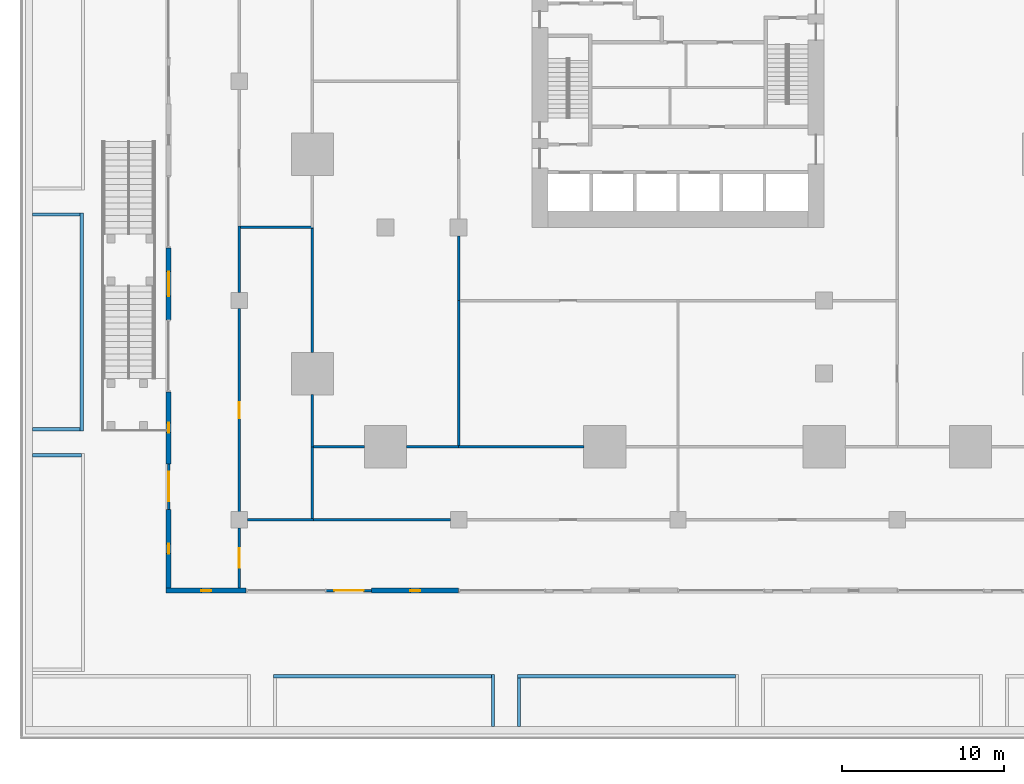
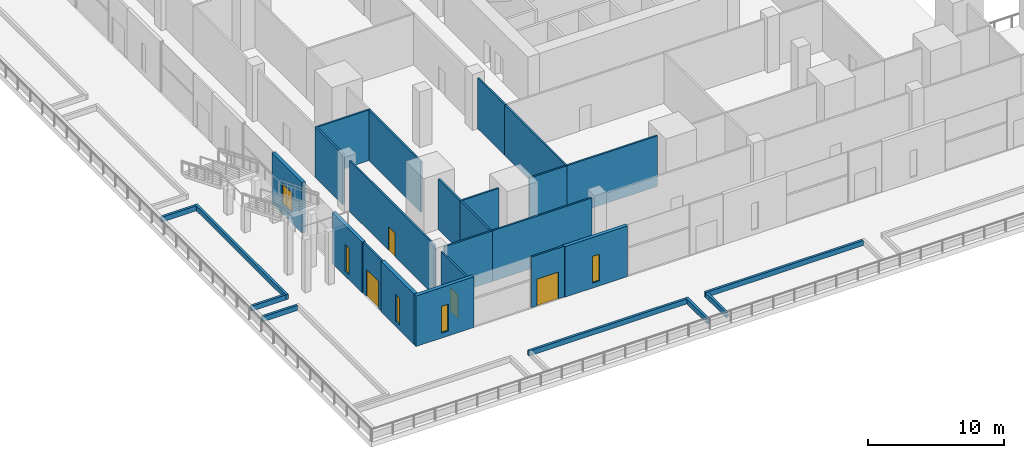
# One storey, part 27 of 49: 29 walls, 5 windows, 4 doors, 9 openings.
"""IFC4 building model written with IfcOpenShell, lengths in metres."""

from ifc_helpers import new_model, si_unit, direction, frame, frame_2d, origin, place, context, subcontext, project, spatial, rectangle, extrude, material, layer, layer_set, type_object, element, fill, save


model = new_model("IFC4")

# Units and contexts
model_context = context("Model", 3, precision=1e-05, world=origin(), true_north=direction((0.0, 1.0)))
body_context = subcontext(model_context, "Body", "Model", "MODEL_VIEW")
ifc_project = project(units=[si_unit("LENGTHUNIT", "METRE"), si_unit("AREAUNIT", "SQUARE_METRE"), si_unit("VOLUMEUNIT", "CUBIC_METRE"), si_unit("PLANEANGLEUNIT", "RADIAN"), si_unit("MASSUNIT", "GRAM", prefix="KILO")], contexts=[model_context])

# Site, building, storey
site_placement = place(None, origin())
site = spatial("IfcSite", under=ifc_project, at=site_placement, CompositionType="ELEMENT")
building_placement = place(site_placement, origin())
building = spatial("IfcBuilding", under=site, at=building_placement, Name="Altepetl Exchange Towers", CompositionType="ELEMENT")
storey_placement = place(building_placement, frame((0.0, 0.0, 11.5)))
storey = spatial("IfcBuildingStorey", under=building, at=storey_placement, Name="L02 Exchange podium", CompositionType="ELEMENT", Elevation=11.5)

# Wall, opening, door
ifc_material_1 = material(Name="Aluminium composite cladding", Category="aluminium")
ifc_layer_1 = layer(ifc_material_1, 0.14990234375)
ifc_layer_set_1 = layer_set([ifc_layer_1], Name="Aluminium composite cladding")
wall_type_1 = type_object("IfcWallType", Name="Infill wall 150 aluminium panel", PredefinedType="SOLIDWALL", material=ifc_layer_set_1)
wall_1_placement = place(storey_placement, frame((27.85009765625, 18.14990234375, 0.0)))
wall_1 = element("IfcWall", 1, at=wall_1_placement, inside=storey, type_object=wall_type_1, Name="Door bay wall", PredefinedType="SOLIDWALL", context=body_context, shape_type="SweptSolid", body=[
    extrude(rectangle(XDim=2.7998046875, YDim=0.14990234375, at=frame_2d((1.39990234375, 0.0))), origin(), (0.0, 0.0, 1.0), 4.550048828125),
])
opening_1_placement = place(wall_1_placement, frame((0.5, 0.0, 0.0)))
opening_1 = element("IfcOpeningElement", 2, at=opening_1_placement, cuts=wall_1, Name="Opening L02.E11", PredefinedType="OPENING", context=body_context, shape_type="SweptSolid", body=[
    extrude(rectangle(XDim=1.800048828125, YDim=2.39990234375, at=frame_2d((0.89990234375, 1.199951171875))), frame((0.0, 0.0849609375, 0.0), z_axis=(0.0, -1.0, 0.0), x_axis=(1.0, 0.0, 0.0)), (0.0, 0.0, 1.0), 0.169921875),
])
ifc_material_2 = material(Name="Aluminium 6063-T6 and glass", Category="aluminium")
door_type_1 = type_object("IfcDoorType", Name="Glazed door pair 1800x2400", OperationType="DOUBLE_DOOR_DOUBLE_SWING", PredefinedType="NOTDEFINED", material=ifc_material_2)
door_1_placement = place(opening_1_placement, frame((1.800048828125, 0.0, 0.0), x_axis=(-1.0, 0.0, 0.0)))
door_1 = element("IfcDoor", 3, at=door_1_placement, inside=storey, type_object=door_type_1, Name="Terrace door", OperationType="DOUBLE_DOOR_DOUBLE_SWING", OverallHeight=2.39990234375, OverallWidth=1.800048828125, PredefinedType="NOTDEFINED", context=body_context, shape_type="SweptSolid", body=[
    extrude(rectangle(XDim=1.800048828125, YDim=2.39990234375, at=frame_2d((0.89990234375, 1.199951171875))), frame((0.0, 0.02490234375, 0.0), z_axis=(0.0, -1.0, 0.0), x_axis=(1.0, 0.0, 0.0)), (0.0, 0.0, 1.0), 0.050048828125),
])
fill(opening_1, door_1)

wall_2_placement = place(storey_placement, frame((18.14990234375, 25.949951171875, 0.0), z_axis=(0.0, 0.0, 1.0), x_axis=(0.0, -1.0, 0.0)))
wall_2 = element("IfcWall", 4, at=wall_2_placement, inside=storey, type_object=wall_type_1, Name="Door bay wall", PredefinedType="SOLIDWALL", context=body_context, shape_type="SweptSolid", body=[
    extrude(rectangle(XDim=2.800048828125, YDim=0.14990234375, at=frame_2d((1.39990234375, 0.0))), origin(), (0.0, 0.0, 1.0), 4.550048828125),
])
opening_2_placement = place(wall_2_placement, frame((0.5, 0.0, 0.0)))
opening_2 = element("IfcOpeningElement", 5, at=opening_2_placement, cuts=wall_2, Name="Opening L02.E01", PredefinedType="OPENING", context=body_context, shape_type="SweptSolid", body=[
    extrude(rectangle(XDim=1.800048828125, YDim=2.39990234375, at=frame_2d((0.89990234375, 1.199951171875))), frame((0.0, 0.0849609375, 0.0), z_axis=(0.0, -1.0, 0.0), x_axis=(1.0, 0.0, 0.0)), (0.0, 0.0, 1.0), 0.169921875),
])
door_2_placement = place(opening_2_placement, frame((1.800048828125, 0.0, 0.0), x_axis=(-1.0, 0.0, 0.0)))
door_2 = element("IfcDoor", 6, at=door_2_placement, inside=storey, type_object=door_type_1, Name="Terrace door", OperationType="DOUBLE_DOOR_DOUBLE_SWING", OverallHeight=2.39990234375, OverallWidth=1.800048828125, PredefinedType="NOTDEFINED", context=body_context, shape_type="SweptSolid", body=[
    extrude(rectangle(XDim=1.800048828125, YDim=2.39990234375, at=frame_2d((0.89990234375, 1.199951171875))), frame((0.0, 0.02490234375, 0.0), z_axis=(0.0, -1.0, 0.0), x_axis=(1.0, 0.0, 0.0)), (0.0, 0.0, 1.0), 0.050048828125),
])
fill(opening_2, door_2)

# Walls
ifc_material_3 = material(Name="Reinforced concrete C35/45", Category="concrete")
ifc_layer_2 = layer(ifc_material_3, 0.199951171875)
ifc_layer_set_2 = layer_set([ifc_layer_2], Name="Reinforced concrete C35/45")
wall_type_2 = type_object("IfcWallType", Name="Planting bed curb 200", PredefinedType="SOLIDWALL", material=ifc_layer_set_2)
wall_3_placement = place(storey_placement, frame((38.11669921875, 9.77490234375, 0.0), z_axis=(0.0, 0.0, 1.0), x_axis=(0.0, 1.0, 0.0)))
element("IfcWall", 7, at=wall_3_placement, inside=storey, type_object=wall_type_2, Name="wall:P:L02:CB05e", PredefinedType="SOLIDWALL", context=body_context, shape_type="SweptSolid", body=[
    extrude(rectangle(XDim=3.2001953125, YDim=0.199951171875, at=frame_2d((1.60009765625, 0.0))), origin(), (0.0, 0.0, 1.0), 0.449951171875),
])
for number, where, name in (
    (8, (24.595703125, 12.875, 0.0), "wall:P:L02:CB05n"),
    (9, (39.61669921875, 12.875, 0.0), "wall:P:L02:CB06n"),
):
    element("IfcWall", number, at=place(storey_placement, frame(where)), inside=storey, type_object=wall_type_2, Name=name, PredefinedType="SOLIDWALL", context=body_context, shape_type="SweptSolid", body=[
        extrude(rectangle(XDim=13.4208984375, YDim=0.199951171875, at=frame_2d((6.71044921875, 0.0))), origin(), (0.0, 0.0, 1.0), 0.449951171875),
    ])
wall_4_placement = place(storey_placement, frame((39.716796875, 9.77490234375, 0.0), z_axis=(0.0, 0.0, 1.0), x_axis=(0.0, 1.0, 0.0)))
element("IfcWall", 10, at=wall_4_placement, inside=storey, type_object=wall_type_2, Name="wall:P:L02:CB06w", PredefinedType="SOLIDWALL", context=body_context, shape_type="SweptSolid", body=[
    extrude(rectangle(XDim=3.0, YDim=0.199951171875, at=frame_2d((1.5, 0.0))), origin(), (0.0, 0.0, 1.0), 0.449951171875),
])
wall_5_placement = place(storey_placement, frame((9.77490234375, 26.485107421875, 0.0)))
element("IfcWall", 11, at=wall_5_placement, inside=storey, type_object=wall_type_2, Name="wall:P:L02:CB19n", PredefinedType="SOLIDWALL", context=body_context, shape_type="SweptSolid", body=[
    extrude(rectangle(XDim=3.0, YDim=0.199951171875, at=frame_2d((1.5, 0.0))), origin(), (0.0, 0.0, 1.0), 0.449951171875),
])
wall_6_placement = place(storey_placement, frame((12.800048828125, 27.985107421875, 0.0), z_axis=(0.0, 0.0, 1.0), x_axis=(0.0, 1.0, 0.0)))
element("IfcWall", 12, at=wall_6_placement, inside=storey, type_object=wall_type_2, Name="wall:P:L02:CB20e", PredefinedType="SOLIDWALL", context=body_context, shape_type="SweptSolid", body=[
    extrude(rectangle(XDim=13.409912109375, YDim=0.199951171875, at=frame_2d((6.705078125, 0.0))), origin(), (0.0, 0.0, 1.0), 0.449951171875),
])
for number, where, name in (
    (13, (9.77490234375, 41.294921875, 0.0), "wall:P:L02:CB20n"),
    (14, (9.77490234375, 28.0849609375, 0.0), "wall:P:L02:CB20s"),
):
    element("IfcWall", number, at=place(storey_placement, frame(where)), inside=storey, type_object=wall_type_2, Name=name, PredefinedType="SOLIDWALL", context=body_context, shape_type="SweptSolid", body=[
        extrude(rectangle(XDim=2.925048828125, YDim=0.199951171875, at=frame_2d((1.46240234375, 0.0))), origin(), (0.0, 0.0, 1.0), 0.449951171875),
    ])

# Wall, opening, door
ifc_material_4 = material(Name="Gypsum board on steel studs", Category="steel")
ifc_layer_3 = layer(ifc_material_4, 0.14990234375)
ifc_layer_set_3 = layer_set([ifc_layer_3], Name="Gypsum board on steel studs")
wall_type_3 = type_object("IfcWallType", Name="Podium partition 150", PredefinedType="PARTITIONING", material=ifc_layer_set_3)
wall_7_placement = place(storey_placement, frame((22.5, 18.300048828125, 0.0), z_axis=(0.0, 0.0, 1.0), x_axis=(0.0, 1.0, 0.0)))
wall_7 = element("IfcWall", 15, at=wall_7_placement, inside=storey, type_object=wall_type_3, Name="wall:P:L02:P001", PredefinedType="PARTITIONING", context=body_context, shape_type="SweptSolid", body=[
    extrude(rectangle(XDim=3.704833984375, YDim=0.14990234375, at=frame_2d((1.8525390625, 0.0))), origin(), (0.0, 0.0, 1.0), 4.550048828125),
])
opening_3_placement = place(wall_7_placement, frame((1.25, 0.0, 0.0)))
opening_3 = element("IfcOpeningElement", 16, at=opening_3_placement, cuts=wall_7, Name="Opening L02.P025", PredefinedType="OPENING", context=body_context, shape_type="SweptSolid", body=[
    extrude(rectangle(XDim=1.199951171875, YDim=2.10009765625, at=frame_2d((0.60009765625, 1.050048828125))), frame((0.0, 0.0849609375, 0.0), z_axis=(0.0, -1.0, 0.0), x_axis=(1.0, 0.0, 0.0)), (0.0, 0.0, 1.0), 0.169921875),
])
ifc_material_5 = material(Name="Steel fire door", Category="steel")
door_type_2 = type_object("IfcDoorType", Name="Podium fire door 1200 x 2100 double leaf", OperationType="DOUBLE_DOOR_SINGLE_SWING", PredefinedType="DOOR", material=ifc_material_5)
door_3_placement = place(opening_3_placement, origin())
door_3 = element("IfcDoor", 17, at=door_3_placement, inside=storey, type_object=door_type_2, Name="door:P:L02:025", OperationType="DOUBLE_DOOR_SINGLE_SWING", OverallHeight=2.10009765625, OverallWidth=1.199951171875, PredefinedType="DOOR", context=body_context, shape_type="SweptSolid", body=[
    extrude(rectangle(XDim=1.199951171875, YDim=2.10009765625, at=frame_2d((0.60009765625, 1.050048828125))), frame((0.0, 0.02490234375, 0.0), z_axis=(0.0, -1.0, 0.0), x_axis=(1.0, 0.0, 0.0)), (0.0, 0.0, 1.0), 0.050048828125),
])
fill(opening_3, door_3)

wall_8_placement = place(storey_placement, frame((22.5, 22.9951171875, 0.0), z_axis=(0.0, 0.0, 1.0), x_axis=(0.0, 1.0, 0.0)))
wall_8 = element("IfcWall", 18, at=wall_8_placement, inside=storey, type_object=wall_type_3, Name="wall:P:L02:P003", PredefinedType="PARTITIONING", context=body_context, shape_type="SweptSolid", body=[
    extrude(rectangle(XDim=12.509765625, YDim=0.14990234375, at=frame_2d((6.2548828125, 0.0))), origin(), (0.0, 0.0, 1.0), 4.550048828125),
])
opening_4_placement = place(wall_8_placement, frame((5.75, 0.0, 0.0)))
opening_4 = element("IfcOpeningElement", 19, at=opening_4_placement, cuts=wall_8, Name="Opening L02.P001", PredefinedType="OPENING", context=body_context, shape_type="SweptSolid", body=[
    extrude(rectangle(XDim=1.0, YDim=2.10009765625, at=frame_2d((0.5, 1.050048828125))), frame((0.0, 0.0849609375, 0.0), z_axis=(0.0, -1.0, 0.0), x_axis=(1.0, 0.0, 0.0)), (0.0, 0.0, 1.0), 0.169921875),
])
ifc_material_6 = material(Name="Steel and timber fire door", Category="steel")
door_type_3 = type_object("IfcDoorType", Name="Podium fire door 1000 x 2100 single leaf", OperationType="SINGLE_SWING_LEFT", PredefinedType="DOOR", material=ifc_material_6)
door_4_placement = place(opening_4_placement, frame((1.0, 0.0, 0.0), x_axis=(-1.0, 0.0, 0.0)))
door_4 = element("IfcDoor", 20, at=door_4_placement, inside=storey, type_object=door_type_3, Name="door:P:L02:001", OperationType="SINGLE_SWING_RIGHT", OverallHeight=2.10009765625, OverallWidth=1.0, PredefinedType="DOOR", context=body_context, shape_type="SweptSolid", body=[
    extrude(rectangle(XDim=1.0, YDim=2.10009765625, at=frame_2d((0.5, 1.050048828125))), frame((0.0, 0.02490234375, 0.0), z_axis=(0.0, -1.0, 0.0), x_axis=(1.0, 0.0, 0.0)), (0.0, 0.0, 1.0), 0.050048828125),
])
fill(opening_4, door_4)

# Walls
wall_9_placement = place(storey_placement, frame((22.5, 36.4951171875, 0.0), z_axis=(0.0, 0.0, 1.0), x_axis=(0.0, 1.0, 0.0)))
element("IfcWall", 21, at=wall_9_placement, inside=storey, type_object=wall_type_3, Name="wall:P:L02:P004", PredefinedType="PARTITIONING", context=body_context, shape_type="SweptSolid", body=[
    extrude(rectangle(XDim=4.079833984375, YDim=0.14990234375, at=frame_2d((2.0400390625, 0.0))), origin(), (0.0, 0.0, 1.0), 4.550048828125),
])
wall_10_placement = place(storey_placement, frame((22.9951171875, 22.5, 0.0)))
element("IfcWall", 22, at=wall_10_placement, inside=storey, type_object=wall_type_3, Name="wall:P:L02:P017", PredefinedType="PARTITIONING", context=body_context, shape_type="SweptSolid", body=[
    extrude(rectangle(XDim=4.079833984375, YDim=0.14990234375, at=frame_2d((2.0400390625, 0.0))), origin(), (0.0, 0.0, 1.0), 4.550048828125),
])
wall_11_placement = place(storey_placement, frame((27.0, 22.5, 0.0)))
element("IfcWall", 23, at=wall_11_placement, inside=storey, type_object=wall_type_3, Name="wall:P:L02:P018", PredefinedType="PARTITIONING", context=body_context, shape_type="SweptSolid", body=[
    extrude(rectangle(XDim=8.5048828125, YDim=0.14990234375, at=frame_2d((4.25244140625, 0.0))), origin(), (0.0, 0.0, 1.0), 4.550048828125),
])
wall_12_placement = place(storey_placement, frame((22.574951171875, 40.5, 0.0)))
element("IfcWall", 24, at=wall_12_placement, inside=storey, type_object=wall_type_3, Name="wall:P:L02:P049", PredefinedType="PARTITIONING", context=body_context, shape_type="SweptSolid", body=[
    extrude(rectangle(XDim=4.5, YDim=0.14990234375, at=frame_2d((2.25, 0.0))), origin(), (0.0, 0.0, 1.0), 4.550048828125),
])
wall_13_placement = place(storey_placement, frame((27.0, 22.574951171875, 0.0), z_axis=(0.0, 0.0, 1.0), x_axis=(0.0, 1.0, 0.0)))
element("IfcWall", 25, at=wall_13_placement, inside=storey, type_object=wall_type_3, Name="wall:P:L02:P050", PredefinedType="PARTITIONING", context=body_context, shape_type="SweptSolid", body=[
    extrude(rectangle(XDim=4.5, YDim=0.14990234375, at=frame_2d((2.25, 0.0))), origin(), (0.0, 0.0, 1.0), 4.550048828125),
])
wall_14_placement = place(storey_placement, frame((27.0, 27.0, 0.0), z_axis=(0.0, 0.0, 1.0), x_axis=(0.0, 1.0, 0.0)))
element("IfcWall", 26, at=wall_14_placement, inside=storey, type_object=wall_type_3, Name="wall:P:L02:P051", PredefinedType="PARTITIONING", context=body_context, shape_type="SweptSolid", body=[
    extrude(rectangle(XDim=3.205078125, YDim=0.14990234375, at=frame_2d((1.6025390625, 0.0))), origin(), (0.0, 0.0, 1.0), 4.550048828125),
])
wall_15_placement = place(storey_placement, frame((27.0, 32.794921875, 0.0), z_axis=(0.0, 0.0, 1.0), x_axis=(0.0, 1.0, 0.0)))
element("IfcWall", 27, at=wall_15_placement, inside=storey, type_object=wall_type_3, Name="wall:P:L02:P052", PredefinedType="PARTITIONING", context=body_context, shape_type="SweptSolid", body=[
    extrude(rectangle(XDim=7.630126953125, YDim=0.14990234375, at=frame_2d((3.81494140625, 0.0))), origin(), (0.0, 0.0, 1.0), 4.550048828125),
])
wall_16_placement = place(storey_placement, frame((35.925048828125, 27.0, 0.0)))
element("IfcWall", 28, at=wall_16_placement, inside=storey, type_object=wall_type_3, Name="wall:P:L02:P061", PredefinedType="PARTITIONING", context=body_context, shape_type="SweptSolid", body=[
    extrude(rectangle(XDim=7.780029296875, YDim=0.14990234375, at=frame_2d((3.89013671875, 0.0))), origin(), (0.0, 0.0, 1.0), 4.550048828125),
])
wall_17_placement = place(storey_placement, frame((27.074951171875, 27.0, 0.0)))
element("IfcWall", 29, at=wall_17_placement, inside=storey, type_object=wall_type_3, Name="wall:P:L02:P063", PredefinedType="PARTITIONING", context=body_context, shape_type="SweptSolid", body=[
    extrude(rectangle(XDim=3.130126953125, YDim=0.14990234375, at=frame_2d((1.56494140625, 0.0))), origin(), (0.0, 0.0, 1.0), 4.550048828125),
])
wall_18_placement = place(storey_placement, frame((32.794921875, 27.0, 0.0)))
element("IfcWall", 30, at=wall_18_placement, inside=storey, type_object=wall_type_3, Name="wall:P:L02:P064", PredefinedType="PARTITIONING", context=body_context, shape_type="SweptSolid", body=[
    extrude(rectangle(XDim=3.205078125, YDim=0.14990234375, at=frame_2d((1.6025390625, 0.0))), origin(), (0.0, 0.0, 1.0), 4.550048828125),
])
wall_19_placement = place(storey_placement, frame((36.0, 27.074951171875, 0.0), z_axis=(0.0, 0.0, 1.0), x_axis=(0.0, 1.0, 0.0)))
element("IfcWall", 31, at=wall_19_placement, inside=storey, type_object=wall_type_3, Name="wall:P:L02:P087", PredefinedType="PARTITIONING", context=body_context, shape_type="SweptSolid", body=[
    extrude(rectangle(XDim=9.0, YDim=0.14990234375, at=frame_2d((4.5, 0.0))), origin(), (0.0, 0.0, 1.0), 4.550048828125),
])
wall_20_placement = place(storey_placement, frame((36.0, 36.0, 0.0), z_axis=(0.0, 0.0, 1.0), x_axis=(0.0, 1.0, 0.0)))
element("IfcWall", 32, at=wall_20_placement, inside=storey, type_object=wall_type_3, Name="wall:P:L02:P095", PredefinedType="PARTITIONING", context=body_context, shape_type="SweptSolid", body=[
    extrude(rectangle(XDim=3.97998046875, YDim=0.14990234375, at=frame_2d((1.989990234375, 0.0))), origin(), (0.0, 0.0, 1.0), 4.550048828125),
])

# Wall, opening, window
ifc_material_7 = material(Name="Cantera limestone cladding", Category="masonry")
ifc_layer_4 = layer(ifc_material_7, 0.300048828125)
ifc_layer_set_4 = layer_set([ifc_layer_4], Name="Cantera limestone cladding")
wall_type_4 = type_object("IfcWallType", Name="Stone wall panel 300", PredefinedType="ELEMENTEDWALL", material=ifc_layer_set_4)
wall_21_placement = place(storey_placement, frame((18.0, 18.14990234375, 0.0)))
wall_21 = element("IfcWall", 33, at=wall_21_placement, inside=storey, type_object=wall_type_4, Name="Stone wall panel", PredefinedType="ELEMENTEDWALL", context=body_context, shape_type="SweptSolid", body=[
    extrude(rectangle(XDim=4.925048828125, YDim=0.300048828125, at=frame_2d((2.46240234375, 0.0))), origin(), (0.0, 0.0, 1.0), 4.550048828125),
])
opening_5_placement = place(wall_21_placement, frame((2.16259765625, 0.0, 0.449951171875)))
opening_5 = element("IfcOpeningElement", 34, at=opening_5_placement, cuts=wall_21, Name="Opening W3", PredefinedType="OPENING", context=body_context, shape_type="SweptSolid", body=[
    extrude(rectangle(XDim=0.60009765625, YDim=2.39990234375, at=frame_2d((0.300048828125, 1.199951171875))), frame((0.0, 0.16015625, 0.0), z_axis=(0.0, -1.0, 0.0), x_axis=(1.0, 0.0, 0.0)), (0.0, 0.0, 1.0), 0.320068359375),
])
window_type_1 = type_object("IfcWindowType", Name="Tall slot window 600x2400", PartitioningType="SINGLE_PANEL", PredefinedType="WINDOW", material=ifc_material_2)
window_1_placement = place(opening_5_placement, origin())
window_1 = element("IfcWindow", 35, at=window_1_placement, inside=storey, type_object=window_type_1, Name="Window", OverallHeight=2.39990234375, OverallWidth=0.60009765625, PartitioningType="SINGLE_PANEL", PredefinedType="WINDOW", context=body_context, shape_type="SweptSolid", body=[
    extrude(rectangle(XDim=0.60009765625, YDim=2.39990234375, at=frame_2d((0.300048828125, 1.199951171875))), frame((0.0, 0.030029296875, 0.0), z_axis=(0.0, -1.0, 0.0), x_axis=(1.0, 0.0, 0.0)), (0.0, 0.0, 1.0), 0.06005859375),
])
fill(opening_5, window_1)

wall_22_placement = place(storey_placement, frame((30.64990234375, 18.14990234375, 0.0)))
wall_22 = element("IfcWall", 36, at=wall_22_placement, inside=storey, type_object=wall_type_4, Name="Stone wall panel", PredefinedType="ELEMENTEDWALL", context=body_context, shape_type="SweptSolid", body=[
    extrude(rectangle(XDim=5.35009765625, YDim=0.300048828125, at=frame_2d((2.675048828125, 0.0))), origin(), (0.0, 0.0, 1.0), 4.550048828125),
])
opening_6_placement = place(wall_22_placement, frame((2.375, 0.0, 0.449951171875)))
opening_6 = element("IfcOpeningElement", 37, at=opening_6_placement, cuts=wall_22, Name="Opening W3", PredefinedType="OPENING", context=body_context, shape_type="SweptSolid", body=[
    extrude(rectangle(XDim=0.60009765625, YDim=2.39990234375, at=frame_2d((0.300048828125, 1.199951171875))), frame((0.0, 0.16015625, 0.0), z_axis=(0.0, -1.0, 0.0), x_axis=(1.0, 0.0, 0.0)), (0.0, 0.0, 1.0), 0.320068359375),
])
window_2_placement = place(opening_6_placement, origin())
window_2 = element("IfcWindow", 38, at=window_2_placement, inside=storey, type_object=window_type_1, Name="Window", OverallHeight=2.39990234375, OverallWidth=0.60009765625, PartitioningType="SINGLE_PANEL", PredefinedType="WINDOW", context=body_context, shape_type="SweptSolid", body=[
    extrude(rectangle(XDim=0.60009765625, YDim=2.39990234375, at=frame_2d((0.300048828125, 1.199951171875))), frame((0.0, 0.030029296875, 0.0), z_axis=(0.0, -1.0, 0.0), x_axis=(1.0, 0.0, 0.0)), (0.0, 0.0, 1.0), 0.06005859375),
])
fill(opening_6, window_2)

wall_23_placement = place(storey_placement, frame((18.14990234375, 39.239990234375, 0.0), z_axis=(0.0, 0.0, 1.0), x_axis=(0.0, -1.0, 0.0)))
wall_23 = element("IfcWall", 39, at=wall_23_placement, inside=storey, type_object=wall_type_4, Name="Stone wall panel", PredefinedType="ELEMENTEDWALL", context=body_context, shape_type="SweptSolid", body=[
    extrude(rectangle(XDim=4.429931640625, YDim=0.300048828125, at=frame_2d((2.21484375, 0.0))), origin(), (0.0, 0.0, 1.0), 4.550048828125),
])
opening_7_placement = place(wall_23_placement, frame((1.465087890625, 0.0, 0.89990234375)))
opening_7 = element("IfcOpeningElement", 40, at=opening_7_placement, cuts=wall_23, Name="Opening W2", PredefinedType="OPENING", context=body_context, shape_type="SweptSolid", body=[
    extrude(rectangle(XDim=1.5, YDim=1.800048828125, at=frame_2d((0.75, 0.89990234375))), frame((0.0, 0.16015625, 0.0), z_axis=(0.0, -1.0, 0.0), x_axis=(1.0, 0.0, 0.0)), (0.0, 0.0, 1.0), 0.320068359375),
])
ifc_material_8 = material(Name="Timber and glass", Category="wood")
window_type_2 = type_object("IfcWindowType", Name="Punched window 1500x1800", PartitioningType="SINGLE_PANEL", PredefinedType="WINDOW", material=ifc_material_8)
window_3_placement = place(opening_7_placement, origin())
window_3 = element("IfcWindow", 41, at=window_3_placement, inside=storey, type_object=window_type_2, Name="Window", OverallHeight=1.800048828125, OverallWidth=1.5, PartitioningType="SINGLE_PANEL", PredefinedType="WINDOW", context=body_context, shape_type="SweptSolid", body=[
    extrude(rectangle(XDim=1.5, YDim=1.800048828125, at=frame_2d((0.75, 0.89990234375))), frame((0.0, 0.030029296875, 0.0), z_axis=(0.0, -1.0, 0.0), x_axis=(1.0, 0.0, 0.0)), (0.0, 0.0, 1.0), 0.06005859375),
])
fill(opening_7, window_3)

wall_24_placement = place(storey_placement, frame((18.14990234375, 30.3798828125, 0.0), z_axis=(0.0, 0.0, 1.0), x_axis=(0.0, -1.0, 0.0)))
wall_24 = element("IfcWall", 42, at=wall_24_placement, inside=storey, type_object=wall_type_4, Name="Stone wall panel", PredefinedType="ELEMENTEDWALL", context=body_context, shape_type="SweptSolid", body=[
    extrude(rectangle(XDim=4.429931640625, YDim=0.300048828125, at=frame_2d((2.21484375, 0.0))), origin(), (0.0, 0.0, 1.0), 4.550048828125),
])
opening_8_placement = place(wall_24_placement, frame((1.9150390625, 0.0, 0.449951171875)))
opening_8 = element("IfcOpeningElement", 43, at=opening_8_placement, cuts=wall_24, Name="Opening W3", PredefinedType="OPENING", context=body_context, shape_type="SweptSolid", body=[
    extrude(rectangle(XDim=0.60009765625, YDim=2.39990234375, at=frame_2d((0.300048828125, 1.199951171875))), frame((0.0, 0.16015625, 0.0), z_axis=(0.0, -1.0, 0.0), x_axis=(1.0, 0.0, 0.0)), (0.0, 0.0, 1.0), 0.320068359375),
])
window_4_placement = place(opening_8_placement, origin())
window_4 = element("IfcWindow", 44, at=window_4_placement, inside=storey, type_object=window_type_1, Name="Window", OverallHeight=2.39990234375, OverallWidth=0.60009765625, PartitioningType="SINGLE_PANEL", PredefinedType="WINDOW", context=body_context, shape_type="SweptSolid", body=[
    extrude(rectangle(XDim=0.60009765625, YDim=2.39990234375, at=frame_2d((0.300048828125, 1.199951171875))), frame((0.0, 0.030029296875, 0.0), z_axis=(0.0, -1.0, 0.0), x_axis=(1.0, 0.0, 0.0)), (0.0, 0.0, 1.0), 0.06005859375),
])
fill(opening_8, window_4)

wall_25_placement = place(storey_placement, frame((18.14990234375, 23.14990234375, 0.0), z_axis=(0.0, 0.0, 1.0), x_axis=(0.0, -1.0, 0.0)))
wall_25 = element("IfcWall", 45, at=wall_25_placement, inside=storey, type_object=wall_type_4, Name="Stone wall panel", PredefinedType="ELEMENTEDWALL", context=body_context, shape_type="SweptSolid", body=[
    extrude(rectangle(XDim=4.849853515625, YDim=0.300048828125, at=frame_2d((2.4248046875, 0.0))), origin(), (0.0, 0.0, 1.0), 4.550048828125),
])
opening_9_placement = place(wall_25_placement, frame((2.125, 0.0, 0.449951171875)))
opening_9 = element("IfcOpeningElement", 46, at=opening_9_placement, cuts=wall_25, Name="Opening W3", PredefinedType="OPENING", context=body_context, shape_type="SweptSolid", body=[
    extrude(rectangle(XDim=0.60009765625, YDim=2.39990234375, at=frame_2d((0.300048828125, 1.199951171875))), frame((0.0, 0.16015625, 0.0), z_axis=(0.0, -1.0, 0.0), x_axis=(1.0, 0.0, 0.0)), (0.0, 0.0, 1.0), 0.320068359375),
])
window_5_placement = place(opening_9_placement, origin())
window_5 = element("IfcWindow", 47, at=window_5_placement, inside=storey, type_object=window_type_1, Name="Window", OverallHeight=2.39990234375, OverallWidth=0.60009765625, PartitioningType="SINGLE_PANEL", PredefinedType="WINDOW", context=body_context, shape_type="SweptSolid", body=[
    extrude(rectangle(XDim=0.60009765625, YDim=2.39990234375, at=frame_2d((0.300048828125, 1.199951171875))), frame((0.0, 0.030029296875, 0.0), z_axis=(0.0, -1.0, 0.0), x_axis=(1.0, 0.0, 0.0)), (0.0, 0.0, 1.0), 0.06005859375),
])
fill(opening_9, window_5)

save(model, "model.ifc")
